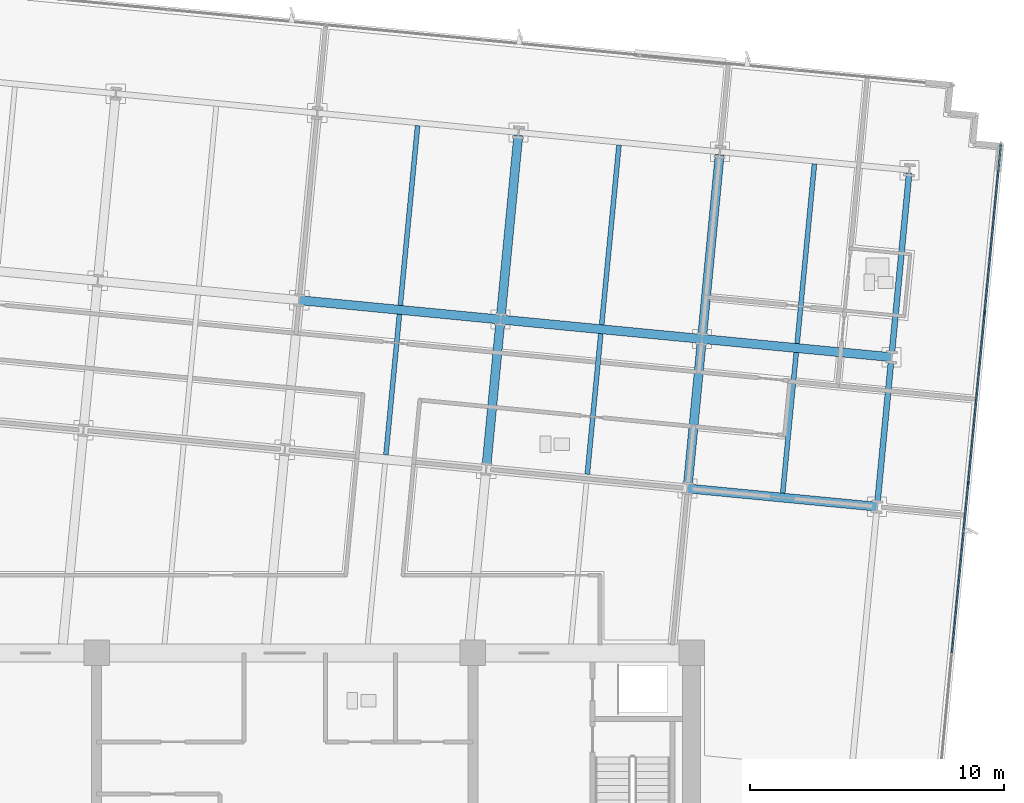
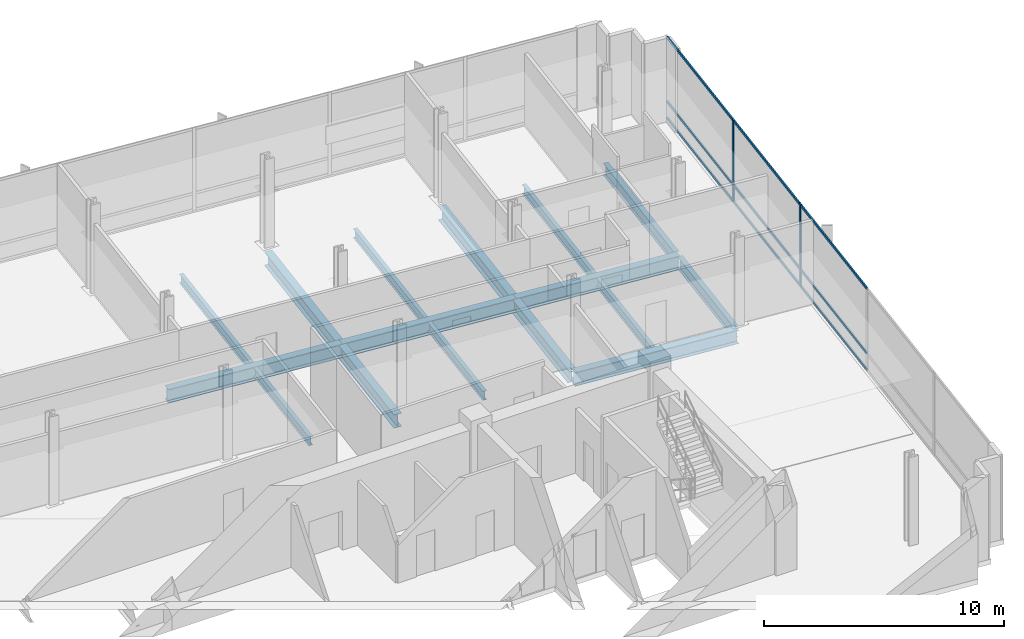
# One storey, part 7 of 17: 16 beams, 11 members, 1 element without a shape of its own.
"""IFC4 building model written with IfcOpenShell, lengths in metres."""

from ifc_helpers import new_model, si_unit, direction, frame, origin, origin_2d, place, context, subcontext, project, spatial, rectangle, i_section, extrude, material, material_profile, profile_set, type_object, element, aggregate, save


model = new_model("IFC4")

# Units and contexts
model_context = context("Model", 3, precision=1e-05, world=origin(), true_north=direction((0.0, 1.0)))
body_context = subcontext(model_context, "Body", "Model", "MODEL_VIEW")
ifc_project = project(units=[si_unit("LENGTHUNIT", "METRE"), si_unit("AREAUNIT", "SQUARE_METRE"), si_unit("VOLUMEUNIT", "CUBIC_METRE"), si_unit("PLANEANGLEUNIT", "RADIAN"), si_unit("MASSUNIT", "GRAM", prefix="KILO")], contexts=[model_context])

# Site, building, storey
site_placement = place(None, origin())
site = spatial("IfcSite", under=ifc_project, at=site_placement, CompositionType="ELEMENT")
building_placement = place(site_placement, origin())
building = spatial("IfcBuilding", under=site, at=building_placement, Name="Solmavex Isthmus Hotel", CompositionType="ELEMENT")
storey_placement = place(building_placement, frame((0.0, 0.0, 177.300048828125)))
storey = spatial("IfcBuildingStorey", under=building, at=storey_placement, Name="L48", CompositionType="ELEMENT", Elevation=177.300048828125)

# Beams
ifc_material_1 = material(Name="Steel ASTM A992 Grade 50", Category="steel")
ifc_material_profile_1 = material_profile(ifc_material_1, i_section(OverallWidth=0.354736328125, OverallDepth=0.695556640625, WebThickness=0.015380859375, FlangeThickness=0.02490234375, FilletRadius=0.017822265625, at=origin_2d()), Name="W27X146")
ifc_profile_set_1 = profile_set([ifc_material_profile_1], Name="Steel ASTM A992 Grade 50")
beam_type_1 = type_object("IfcBeamType", Name="BM-BG-W27X146", PredefinedType="BEAM", material=ifc_profile_set_1)
beam_1_placement = place(storey_placement, frame((15.840087890625, 3.96533203125, -0.60791015625), z_axis=(0.995394980007, -0.095858404835, 0.0), x_axis=(0.095858404835, 0.995394980007, 0.0)))
element("IfcBeam", 1, at=beam_1_placement, inside=storey, type_object=beam_type_1, Name="Floor Girder L48-UG08", PredefinedType="BEAM", context=body_context, shape_type="SweptSolid", body=[
    extrude(i_section(OverallWidth=0.354736328125, OverallDepth=0.695556640625, WebThickness=0.015380859375, FlangeThickness=0.02490234375, FilletRadius=0.017822265625, at=origin_2d()), origin(), (0.0, 0.0, 1.0), 7.48779296875),
])
beam_2_placement = place(storey_placement, frame((0.567626953125, 11.37109375, -0.60791015625), z_axis=(0.995397158178, -0.095835783981, 0.0), x_axis=(0.095835783981, 0.995397158178, 0.0)))
element("IfcBeam", 2, at=beam_2_placement, inside=storey, type_object=beam_type_1, Name="Floor Girder L48-UG12", PredefinedType="BEAM", context=body_context, shape_type="SweptSolid", body=[
    extrude(i_section(OverallWidth=0.354736328125, OverallDepth=0.695556640625, WebThickness=0.015380859375, FlangeThickness=0.02490234375, FilletRadius=0.017822265625, at=origin_2d()), origin(), (0.0, 0.0, 1.0), 7.955810546875),
])
beam_3_placement = place(storey_placement, frame((8.48681640625, 10.608642578125, -0.60791015625), z_axis=(0.995394512348, -0.095863260885, 0.0), x_axis=(0.095863260885, 0.995394512348, 0.0)))
element("IfcBeam", 3, at=beam_3_placement, inside=storey, type_object=beam_type_1, Name="Floor Girder L48-UG13", PredefinedType="BEAM", context=body_context, shape_type="SweptSolid", body=[
    extrude(i_section(OverallWidth=0.354736328125, OverallDepth=0.695556640625, WebThickness=0.015380859375, FlangeThickness=0.02490234375, FilletRadius=0.017822265625, at=origin_2d()), origin(), (0.0, 0.0, 1.0), 7.9560546875),
])
beam_4_placement = place(storey_placement, frame((16.40625, 9.845947265625, -0.60791015625), z_axis=(0.995398389938, -0.095822989454, 0.0), x_axis=(0.095822989454, 0.995398389938, 0.0)))
element("IfcBeam", 4, at=beam_4_placement, inside=storey, type_object=beam_type_1, Name="Floor Girder L48-UG14", PredefinedType="BEAM", context=body_context, shape_type="SweptSolid", body=[
    extrude(i_section(OverallWidth=0.354736328125, OverallDepth=0.695556640625, WebThickness=0.015380859375, FlangeThickness=0.02490234375, FilletRadius=0.017822265625, at=origin_2d()), origin(), (0.0, 0.0, 1.0), 7.488037109375),
])
beam_5_placement = place(storey_placement, frame((7.937744140625, 4.904296875, -0.60791015625), z_axis=(0.095842252862, 0.99539653534, 0.0), x_axis=(-0.99539653534, 0.095842252862, 0.0)))
element("IfcBeam", 5, at=beam_5_placement, inside=storey, type_object=beam_type_1, Name="Floor Beam L48-VG34", PredefinedType="BEAM", context=body_context, shape_type="SweptSolid", body=[
    extrude(i_section(OverallWidth=0.354736328125, OverallDepth=0.695556640625, WebThickness=0.015380859375, FlangeThickness=0.02490234375, FilletRadius=0.017822265625, at=origin_2d()), origin(), (0.0, 0.0, 1.0), 5.55322265625),
])
beam_6_placement = place(storey_placement, frame((8.50390625, 10.78515625, -0.60791015625), z_axis=(0.095842805175, 0.99539648216, 0.0), x_axis=(-0.99539648216, 0.095842805175, 0.0)))
element("IfcBeam", 6, at=beam_6_placement, inside=storey, type_object=beam_type_1, Name="Floor Beam L48-VG35", PredefinedType="BEAM", context=body_context, shape_type="SweptSolid", body=[
    extrude(i_section(OverallWidth=0.354736328125, OverallDepth=0.695556640625, WebThickness=0.015380859375, FlangeThickness=0.02490234375, FilletRadius=0.017822265625, at=origin_2d()), origin(), (0.0, 0.0, 1.0), 7.099365234375),
])
beam_7_placement = place(storey_placement, frame((15.85693359375, 4.141845703125, -0.60791015625), z_axis=(0.095842252862, 0.99539653534, 0.0), x_axis=(-0.99539653534, 0.095842252862, 0.0)))
element("IfcBeam", 7, at=beam_7_placement, inside=storey, type_object=beam_type_1, Name="Floor Beam L48-VG37", PredefinedType="BEAM", context=body_context, shape_type="SweptSolid", body=[
    extrude(i_section(OverallWidth=0.354736328125, OverallDepth=0.695556640625, WebThickness=0.015380859375, FlangeThickness=0.02490234375, FilletRadius=0.017822265625, at=origin_2d()), origin(), (0.0, 0.0, 1.0), 5.55322265625),
])
beam_8_placement = place(storey_placement, frame((16.42333984375, 10.022705078125, -0.60791015625), z_axis=(0.095842805175, 0.99539648216, 0.0), x_axis=(-0.99539648216, 0.095842805175, 0.0)))
element("IfcBeam", 8, at=beam_8_placement, inside=storey, type_object=beam_type_1, Name="Floor Beam L48-VG38", PredefinedType="BEAM", context=body_context, shape_type="SweptSolid", body=[
    extrude(i_section(OverallWidth=0.354736328125, OverallDepth=0.695556640625, WebThickness=0.015380859375, FlangeThickness=0.02490234375, FilletRadius=0.017822265625, at=origin_2d()), origin(), (0.0, 0.0, 1.0), 7.099365234375),
])
ifc_material_profile_2 = material_profile(ifc_material_1, i_section(OverallWidth=0.1904296875, OverallDepth=0.456787109375, WebThickness=0.009033203125, FlangeThickness=0.014404296875, FilletRadius=0.0126953125, at=origin_2d()), Name="W18X50")
ifc_profile_set_2 = profile_set([ifc_material_profile_2], Name="Steel ASTM A992 Grade 50")
beam_type_2 = type_object("IfcBeamType", Name="BM-BJ-W18X50", PredefinedType="JOIST", material=ifc_profile_set_2)
beam_9_placement = place(storey_placement, frame((3.97802734375, 5.28564453125, -0.488525390625), z_axis=(0.095842252862, 0.99539653534, 0.0), x_axis=(-0.99539653534, 0.095842252862, 0.0)))
element("IfcBeam", 9, at=beam_9_placement, inside=storey, type_object=beam_type_2, Name="Secondary Floor Joist L48-J11", PredefinedType="JOIST", context=body_context, shape_type="SweptSolid", body=[
    extrude(i_section(OverallWidth=0.1904296875, OverallDepth=0.456787109375, WebThickness=0.009033203125, FlangeThickness=0.014404296875, FilletRadius=0.0126953125, at=origin_2d()), origin(), (0.0, 0.0, 1.0), 5.55322265625),
])
beam_10_placement = place(storey_placement, frame((4.544189453125, 11.16650390625, -0.488525390625), z_axis=(0.095842805175, 0.99539648216, 0.0), x_axis=(-0.99539648216, 0.095842805175, 0.0)))
element("IfcBeam", 10, at=beam_10_placement, inside=storey, type_object=beam_type_2, Name="Secondary Floor Joist L48-J12", PredefinedType="JOIST", context=body_context, shape_type="SweptSolid", body=[
    extrude(i_section(OverallWidth=0.1904296875, OverallDepth=0.456787109375, WebThickness=0.009033203125, FlangeThickness=0.014404296875, FilletRadius=0.0126953125, at=origin_2d()), origin(), (0.0, 0.0, 1.0), 7.099365234375),
])
beam_11_placement = place(storey_placement, frame((11.8974609375, 4.523193359375, -0.488525390625), z_axis=(0.095842252862, 0.99539653534, 0.0), x_axis=(-0.99539653534, 0.095842252862, 0.0)))
element("IfcBeam", 11, at=beam_11_placement, inside=storey, type_object=beam_type_2, Name="Secondary Floor Joist L48-J14", PredefinedType="JOIST", context=body_context, shape_type="SweptSolid", body=[
    extrude(i_section(OverallWidth=0.1904296875, OverallDepth=0.456787109375, WebThickness=0.009033203125, FlangeThickness=0.014404296875, FilletRadius=0.0126953125, at=origin_2d()), origin(), (0.0, 0.0, 1.0), 5.55322265625),
])
beam_12_placement = place(storey_placement, frame((12.463623046875, 10.40380859375, -0.488525390625), z_axis=(0.095839524498, 0.995396798038, 0.0), x_axis=(-0.995396798038, 0.095839524498, 0.0)))
element("IfcBeam", 12, at=beam_12_placement, inside=storey, type_object=beam_type_2, Name="Secondary Floor Joist L48-J15", PredefinedType="JOIST", context=body_context, shape_type="SweptSolid", body=[
    extrude(i_section(OverallWidth=0.1904296875, OverallDepth=0.456787109375, WebThickness=0.009033203125, FlangeThickness=0.014404296875, FilletRadius=0.0126953125, at=origin_2d()), origin(), (0.0, 0.0, 1.0), 7.099609375),
])
beam_13_placement = place(storey_placement, frame((19.583740234375, 3.782958984375, -0.488525390625), z_axis=(0.095842252862, 0.99539653534, 0.0), x_axis=(-0.99539653534, 0.095842252862, 0.0)))
element("IfcBeam", 13, at=beam_13_placement, inside=storey, type_object=beam_type_2, Name="Secondary Floor Joist L48-J16", PredefinedType="JOIST", context=body_context, shape_type="SweptSolid", body=[
    extrude(i_section(OverallWidth=0.1904296875, OverallDepth=0.456787109375, WebThickness=0.009033203125, FlangeThickness=0.014404296875, FilletRadius=0.0126953125, at=origin_2d()), origin(), (0.0, 0.0, 1.0), 5.55322265625),
])
beam_14_placement = place(storey_placement, frame((20.150146484375, 9.663818359375, -0.488525390625), z_axis=(0.095842805175, 0.99539648216, 0.0), x_axis=(-0.99539648216, 0.095842805175, 0.0)))
element("IfcBeam", 14, at=beam_14_placement, inside=storey, type_object=beam_type_2, Name="Secondary Floor Joist L48-J17", PredefinedType="JOIST", context=body_context, shape_type="SweptSolid", body=[
    extrude(i_section(OverallWidth=0.1904296875, OverallDepth=0.456787109375, WebThickness=0.009033203125, FlangeThickness=0.014404296875, FilletRadius=0.0126953125, at=origin_2d()), origin(), (0.0, 0.0, 1.0), 7.099365234375),
])
ifc_material_profile_3 = material_profile(ifc_material_1, i_section(OverallWidth=0.230224609375, OverallDepth=0.617431640625, WebThickness=0.01318359375, FlangeThickness=0.022216796875, FilletRadius=0.01513671875, at=origin_2d()), Name="W24X94")
ifc_profile_set_3 = profile_set([ifc_material_profile_3], Name="Steel ASTM A992 Grade 50")
beam_type_3 = type_object("IfcBeamType", Name="BM-SP-W24X94", PredefinedType="SPANDREL", material=ifc_profile_set_3)
beam_15_placement = place(storey_placement, frame((23.310546875, 3.424072265625, -0.56884765625), z_axis=(0.095842252862, 0.99539653534, 0.0), x_axis=(-0.99539653534, 0.095842252862, 0.0)))
element("IfcBeam", 15, at=beam_15_placement, inside=storey, type_object=beam_type_3, Name="Floor Beam L48-VG40", PredefinedType="SPANDREL", context=body_context, shape_type="SweptSolid", body=[
    extrude(i_section(OverallWidth=0.230224609375, OverallDepth=0.617431640625, WebThickness=0.01318359375, FlangeThickness=0.022216796875, FilletRadius=0.01513671875, at=origin_2d()), origin(), (0.0, 0.0, 1.0), 5.55322265625),
])
beam_16_placement = place(storey_placement, frame((23.876708984375, 9.304931640625, -0.56884765625), z_axis=(0.09587687835, 0.9953932008, 0.0), x_axis=(-0.9953932008, 0.09587687835, 0.0)))
element("IfcBeam", 16, at=beam_16_placement, inside=storey, type_object=beam_type_3, Name="Floor Beam L48-VG41", PredefinedType="SPANDREL", context=body_context, shape_type="SweptSolid", body=[
    extrude(i_section(OverallWidth=0.230224609375, OverallDepth=0.617431640625, WebThickness=0.01318359375, FlangeThickness=0.022216796875, FilletRadius=0.01513671875, at=origin_2d()), origin(), (0.0, 0.0, 1.0), 7.099365234375),
])

# Curtain wall, members
ifc_material_2 = material(Name="Aluminium alloy 6063-T6", Category="aluminium")
curtain_wall_type = type_object("IfcCurtainWallType", Name="CW-SYS-05", PredefinedType="NOTDEFINED", material=ifc_material_2)
curtain_wall_placement = place(storey_placement, origin())
curtain_wall = element("IfcCurtainWall", 17, at=curtain_wall_placement, inside=storey, type_object=curtain_wall_type, Name="Stick Curtain Wall CWL-L48-E1", PredefinedType="NOTDEFINED")
ifc_material_profile_4 = material_profile(ifc_material_2, rectangle(XDim=0.06494140625, YDim=0.159912109375, at=origin_2d()), Name="CWM-65X160")
ifc_profile_set_4 = profile_set([ifc_material_profile_4], Name="Aluminium alloy 6063-T6")
member_type_1 = type_object("IfcMemberType", Name="CW-SYS-05-MUL", PredefinedType="MULLION", material=ifc_profile_set_4)
member_1_placement = place(storey_placement, frame((26.878173828125, 4.168212890625, 0.0), z_axis=(0.0, 0.0, 1.0), x_axis=(-0.995396190038, 0.09584583902, 0.0)))
member_1 = element("IfcMember", 18, at=member_1_placement, type_object=member_type_1, Name="CW-05 mullion 4", PredefinedType="MULLION", context=body_context, shape_type="SweptSolid", body=[
    extrude(rectangle(XDim=0.06494140625, YDim=0.159912109375, at=origin_2d()), origin(), (0.0, 0.0, 1.0), 4.239990234375),
])
member_2_placement = place(storey_placement, frame((27.5224609375, 10.857177734375, 0.0), z_axis=(0.0, 0.0, 1.0), x_axis=(-0.995396190038, 0.09584583902, 0.0)))
member_2 = element("IfcMember", 19, at=member_2_placement, type_object=member_type_1, Name="CW-05 mullion 5", PredefinedType="MULLION", context=body_context, shape_type="SweptSolid", body=[
    extrude(rectangle(XDim=0.06494140625, YDim=0.159912109375, at=origin_2d()), origin(), (0.0, 0.0, 1.0), 4.239990234375),
])
ifc_material_profile_5 = material_profile(ifc_material_2, rectangle(XDim=0.06494140625, YDim=0.125, at=origin_2d()), Name="CWT-65X125")
ifc_profile_set_5 = profile_set([ifc_material_profile_5], Name="Aluminium alloy 6063-T6")
member_type_2 = type_object("IfcMemberType", Name="CW-SYS-05-TRN", PredefinedType="USERDEFINED", material=ifc_profile_set_5)
member_3_placement = place(storey_placement, frame((26.2373046875, -2.488525390625, 0.0625), z_axis=(0.095859901454, 0.995394835878, 0.0), x_axis=(-0.995394835878, 0.095859901454, 0.0)))
member_3 = element("IfcMember", 20, at=member_3_placement, type_object=member_type_2, Name="CW-05 transom 3.1", ObjectType="TRANSOM", PredefinedType="USERDEFINED", context=body_context, shape_type="SweptSolid", body=[
    extrude(rectangle(XDim=0.06494140625, YDim=0.125, at=origin_2d()), origin(), (0.0, 0.0, 1.0), 6.655029296875),
])
member_4_placement = place(storey_placement, frame((26.2373046875, -2.488525390625, 0.89990234375), z_axis=(0.095859901454, 0.995394835878, 0.0), x_axis=(-0.995394835878, 0.095859901454, 0.0)))
member_4 = element("IfcMember", 21, at=member_4_placement, type_object=member_type_2, Name="CW-05 transom 3.2", ObjectType="TRANSOM", PredefinedType="USERDEFINED", context=body_context, shape_type="SweptSolid", body=[
    extrude(rectangle(XDim=0.06494140625, YDim=0.125, at=origin_2d()), origin(), (0.0, 0.0, 1.0), 6.655029296875),
])
member_5_placement = place(storey_placement, frame((26.2373046875, -2.488525390625, 4.177490234375), z_axis=(0.095859901454, 0.995394835878, 0.0), x_axis=(-0.995394835878, 0.095859901454, 0.0)))
member_5 = element("IfcMember", 22, at=member_5_placement, type_object=member_type_2, Name="CW-05 transom 3.3", ObjectType="TRANSOM", PredefinedType="USERDEFINED", context=body_context, shape_type="SweptSolid", body=[
    extrude(rectangle(XDim=0.06494140625, YDim=0.125, at=origin_2d()), origin(), (0.0, 0.0, 1.0), 6.655029296875),
])
member_6_placement = place(storey_placement, frame((26.88134765625, 4.200439453125, 0.0625), z_axis=(0.095856401082, 0.99539517297, 0.0), x_axis=(-0.99539517297, 0.095856401082, 0.0)))
member_6 = element("IfcMember", 23, at=member_6_placement, type_object=member_type_2, Name="CW-05 transom 4.1", ObjectType="TRANSOM", PredefinedType="USERDEFINED", context=body_context, shape_type="SweptSolid", body=[
    extrude(rectangle(XDim=0.06494140625, YDim=0.125, at=origin_2d()), origin(), (0.0, 0.0, 1.0), 6.6552734375),
])
member_7_placement = place(storey_placement, frame((26.88134765625, 4.200439453125, 0.89990234375), z_axis=(0.095856401082, 0.99539517297, 0.0), x_axis=(-0.99539517297, 0.095856401082, 0.0)))
member_7 = element("IfcMember", 24, at=member_7_placement, type_object=member_type_2, Name="CW-05 transom 4.2", ObjectType="TRANSOM", PredefinedType="USERDEFINED", context=body_context, shape_type="SweptSolid", body=[
    extrude(rectangle(XDim=0.06494140625, YDim=0.125, at=origin_2d()), origin(), (0.0, 0.0, 1.0), 6.6552734375),
])
member_8_placement = place(storey_placement, frame((26.88134765625, 4.200439453125, 4.177490234375), z_axis=(0.095856401082, 0.99539517297, 0.0), x_axis=(-0.99539517297, 0.095856401082, 0.0)))
member_8 = element("IfcMember", 25, at=member_8_placement, type_object=member_type_2, Name="CW-05 transom 4.3", ObjectType="TRANSOM", PredefinedType="USERDEFINED", context=body_context, shape_type="SweptSolid", body=[
    extrude(rectangle(XDim=0.06494140625, YDim=0.125, at=origin_2d()), origin(), (0.0, 0.0, 1.0), 6.6552734375),
])
member_9_placement = place(storey_placement, frame((27.525390625, 10.8896484375, 0.0625), z_axis=(0.095849383604, 0.995395848727, 0.0), x_axis=(-0.995395848727, 0.095849383604, 0.0)))
member_9 = element("IfcMember", 26, at=member_9_placement, type_object=member_type_2, Name="CW-05 transom 5.1", ObjectType="TRANSOM", PredefinedType="USERDEFINED", context=body_context, shape_type="SweptSolid", body=[
    extrude(rectangle(XDim=0.06494140625, YDim=0.125, at=origin_2d()), origin(), (0.0, 0.0, 1.0), 6.62255859375),
])
member_10_placement = place(storey_placement, frame((27.525390625, 10.8896484375, 0.89990234375), z_axis=(0.095849383604, 0.995395848727, 0.0), x_axis=(-0.995395848727, 0.095849383604, 0.0)))
member_10 = element("IfcMember", 27, at=member_10_placement, type_object=member_type_2, Name="CW-05 transom 5.2", ObjectType="TRANSOM", PredefinedType="USERDEFINED", context=body_context, shape_type="SweptSolid", body=[
    extrude(rectangle(XDim=0.06494140625, YDim=0.125, at=origin_2d()), origin(), (0.0, 0.0, 1.0), 6.62255859375),
])
member_11_placement = place(storey_placement, frame((27.525390625, 10.8896484375, 4.177490234375), z_axis=(0.095849383604, 0.995395848727, 0.0), x_axis=(-0.995395848727, 0.095849383604, 0.0)))
member_11 = element("IfcMember", 28, at=member_11_placement, type_object=member_type_2, Name="CW-05 transom 5.3", ObjectType="TRANSOM", PredefinedType="USERDEFINED", context=body_context, shape_type="SweptSolid", body=[
    extrude(rectangle(XDim=0.06494140625, YDim=0.125, at=origin_2d()), origin(), (0.0, 0.0, 1.0), 6.62255859375),
])
aggregate(curtain_wall, [member_1, member_2, member_3, member_4, member_5, member_6, member_7, member_8, member_9, member_10, member_11])

save(model, "model.ifc")
